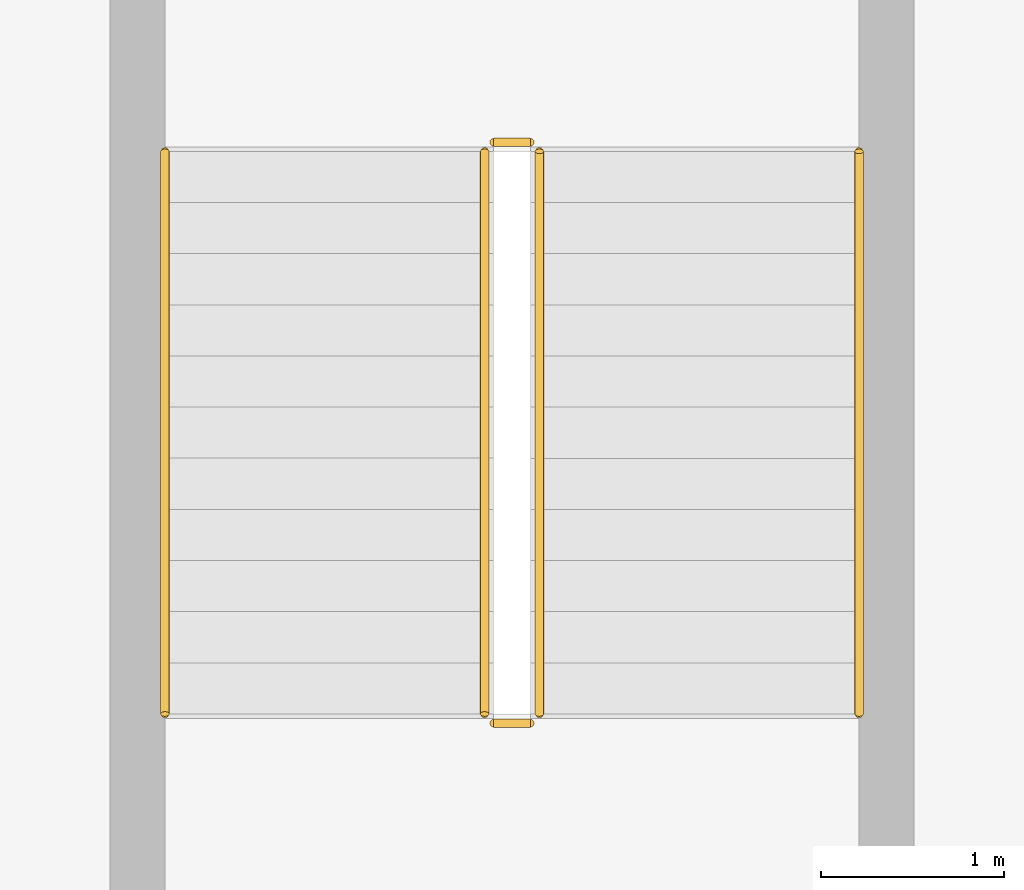
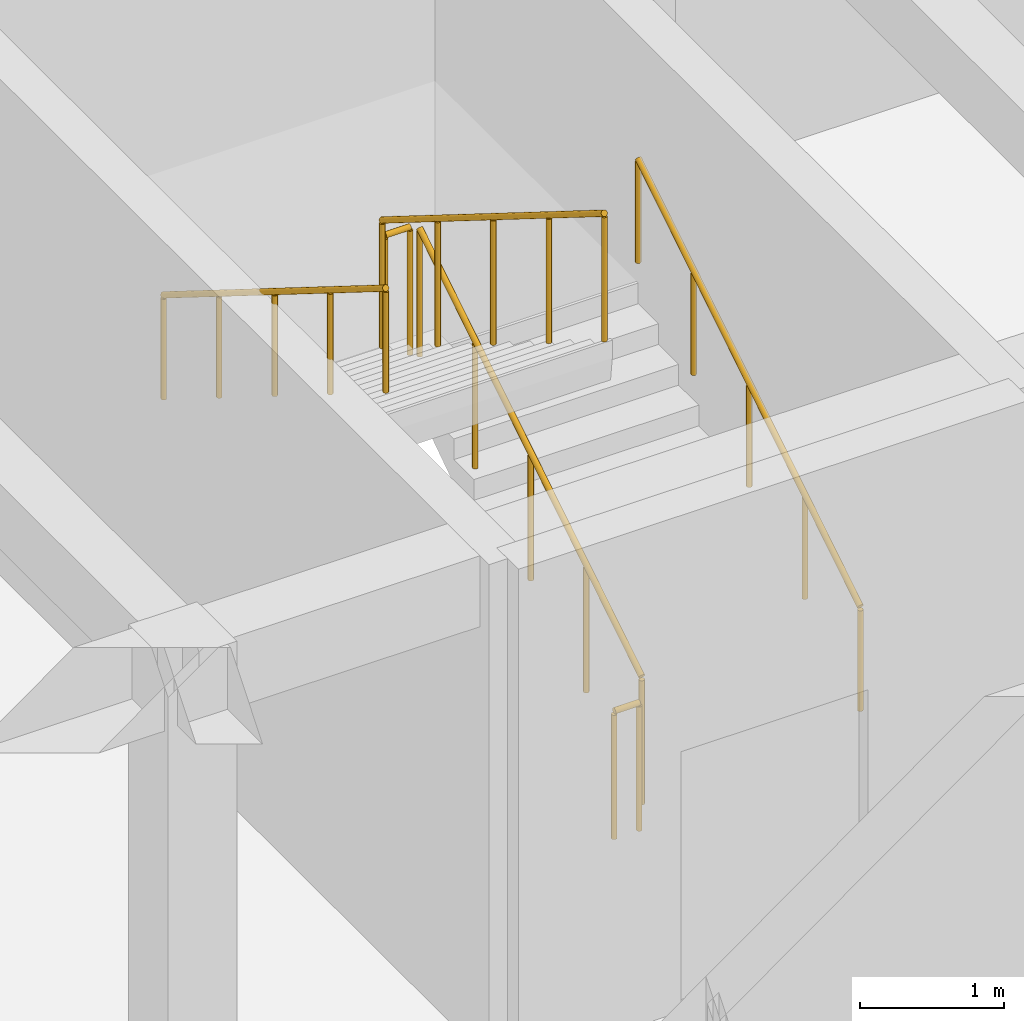
# One storey, part 24 of 28: 6 railings.
"""IFC4 building model written with IfcOpenShell, lengths in metres."""

from ifc_helpers import new_model, si_unit, direction, frame, origin, origin_2d, place, context, subcontext, project, spatial, circle, extrude, material, type_object, element, save


model = new_model("IFC4")

# Units and contexts
model_context = context("Model", 3, precision=1e-05, world=origin(), true_north=direction((0.0, 1.0)))
body_context = subcontext(model_context, "Body", "Model", "MODEL_VIEW")
ifc_project = project(units=[si_unit("LENGTHUNIT", "METRE"), si_unit("AREAUNIT", "SQUARE_METRE"), si_unit("VOLUMEUNIT", "CUBIC_METRE"), si_unit("PLANEANGLEUNIT", "RADIAN"), si_unit("MASSUNIT", "GRAM", prefix="KILO")], contexts=[model_context])

# Site, building, storey
site_placement = place(None, origin())
site = spatial("IfcSite", under=ifc_project, at=site_placement, CompositionType="ELEMENT")
building_placement = place(site_placement, origin())
building = spatial("IfcBuilding", under=site, at=building_placement, Name="Varncliffe General Hospital", CompositionType="ELEMENT")
storey_placement = place(building_placement, frame((0.0, 0.0, 24.60009765625)))
storey = spatial("IfcBuildingStorey", under=building, at=storey_placement, Name="L05", CompositionType="ELEMENT", Elevation=24.60009765625)

# Railings
ifc_material = material(Name="Powder-coated hospital steel guardrail and handrail", Category="steel")
railing_type_1 = type_object("IfcRailingType", Name="Stair and Ramp Handrail HR46", PredefinedType="HANDRAIL", material=ifc_material)
railing_1_placement = place(storey_placement, frame((56.75, 118.0, 0.35400390625)))
element("IfcRailing", 1, at=railing_1_placement, inside=storey, type_object=railing_type_1, Name="L05 ST02 stair handrail 1", PredefinedType="HANDRAIL", context=body_context, shape_type="SweptSolid", body=[
    extrude(circle(Radius=0.02392578125, at=origin_2d()), frame((0.0, 0.0, 0.8759765625), z_axis=(0.0, 0.848028513186, 0.529950602248), x_axis=(-1.0, 0.0, 0.0)), (0.0, 0.0, 1.0), 3.632080078125),
    extrude(circle(Radius=0.02099609375, at=origin_2d()), origin(), (0.0, 0.0, 1.0), 0.851806640625),
    extrude(circle(Radius=0.02099609375, at=origin_2d()), frame((0.0, 0.77001953125, 0.481201171875)), (0.0, 0.0, 1.0), 0.851806640625),
    extrude(circle(Radius=0.02099609375, at=origin_2d()), frame((0.0, 1.5400390625, 0.96240234375)), (0.0, 0.0, 1.0), 0.851806640625),
    extrude(circle(Radius=0.02099609375, at=origin_2d()), frame((0.0, 2.31005859375, 1.443603515625)), (0.0, 0.0, 1.0), 0.851806640625),
    extrude(circle(Radius=0.02099609375, at=origin_2d()), frame((0.0, 3.080078125, 1.9248046875)), (0.0, 0.0, 1.0), 0.851806640625),
])
railing_2_placement = place(storey_placement, frame((52.949951171875, 121.080078125, 2.453857421875)))
element("IfcRailing", 2, at=railing_2_placement, inside=storey, type_object=railing_type_1, Name="L05 ST02 stair handrail 2", PredefinedType="HANDRAIL", context=body_context, shape_type="SweptSolid", body=[
    extrude(circle(Radius=0.02392578125, at=origin_2d()), frame((0.0, 0.0, 0.8759765625), z_axis=(0.0, -0.847998304005, 0.529998940003), x_axis=(1.0, 0.0, 0.0)), (0.0, 0.0, 1.0), 3.632080078125),
    extrude(circle(Radius=0.02099609375, at=origin_2d()), origin(), (0.0, 0.0, 1.0), 0.851806640625),
    extrude(circle(Radius=0.02099609375, at=origin_2d()), frame((0.0, -0.77001953125, 0.481201171875)), (0.0, 0.0, 1.0), 0.851806640625),
    extrude(circle(Radius=0.02099609375, at=origin_2d()), frame((0.0, -1.5400390625, 0.96240234375)), (0.0, 0.0, 1.0), 0.851806640625),
    extrude(circle(Radius=0.02099609375, at=origin_2d()), frame((0.0, -2.31005859375, 1.44384765625)), (0.0, 0.0, 1.0), 0.851806640625),
    extrude(circle(Radius=0.02099609375, at=origin_2d()), frame((0.0, -3.080078125, 1.925048828125)), (0.0, 0.0, 1.0), 0.851806640625),
])
railing_type_2 = type_object("IfcRailingType", Name="Stairwell Guardrail SG49", PredefinedType="GUARDRAIL", material=ifc_material)
railing_3_placement = place(storey_placement, frame((55.0, 118.0, 0.1748046875)))
element("IfcRailing", 3, at=railing_3_placement, inside=storey, type_object=railing_type_2, Name="L05 ST02 stair guard 1", PredefinedType="GUARDRAIL", context=body_context, shape_type="SweptSolid", body=[
    extrude(circle(Radius=0.02392578125, at=origin_2d()), frame((0.0, 0.0, 1.076171875), z_axis=(0.0, 0.847998304005, 0.529998940003), x_axis=(-1.0, 0.0, 0.0)), (0.0, 0.0, 1.0), 3.632080078125),
    extrude(circle(Radius=0.02099609375, at=origin_2d()), origin(), (0.0, 0.0, 1.0), 1.052001953125),
    extrude(circle(Radius=0.02099609375, at=origin_2d()), frame((0.0, 0.77001953125, 0.481201171875)), (0.0, 0.0, 1.0), 1.052001953125),
    extrude(circle(Radius=0.02099609375, at=origin_2d()), frame((0.0, 1.5400390625, 0.96240234375)), (0.0, 0.0, 1.0), 1.052001953125),
    extrude(circle(Radius=0.02099609375, at=origin_2d()), frame((0.0, 2.31005859375, 1.44384765625)), (0.0, 0.0, 1.0), 1.052001953125),
    extrude(circle(Radius=0.02099609375, at=origin_2d()), frame((0.0, 3.080078125, 1.925048828125)), (0.0, 0.0, 1.0), 1.052001953125),
])
railing_4_placement = place(storey_placement, frame((54.949951171875, 121.1298828125, 2.099853515625)))
element("IfcRailing", 4, at=railing_4_placement, inside=storey, type_object=railing_type_2, Name="L05 ST02 stair guard 2", PredefinedType="GUARDRAIL", context=body_context, shape_type="SweptSolid", body=[
    extrude(circle(Radius=0.02392578125, at=origin_2d()), frame((0.0, 0.0, 1.076171875), z_axis=(-1.0, 0.0, 0.0), x_axis=(0.0, -1.0, 0.0)), (0.0, 0.0, 1.0), 0.199951171875),
    extrude(circle(Radius=0.02099609375, at=origin_2d()), origin(), (0.0, 0.0, 1.0), 1.052001953125),
    extrude(circle(Radius=0.02099609375, at=origin_2d()), frame((-0.199951171875, 0.0, 0.0)), (0.0, 0.0, 1.0), 1.052001953125),
])
railing_5_placement = place(storey_placement, frame((54.699951171875, 121.080078125, 2.27490234375)))
element("IfcRailing", 5, at=railing_5_placement, inside=storey, type_object=railing_type_2, Name="L05 ST02 stair guard 3", PredefinedType="GUARDRAIL", context=body_context, shape_type="SweptSolid", body=[
    extrude(circle(Radius=0.02392578125, at=origin_2d()), frame((0.0, 0.0, 1.076171875), z_axis=(0.0, -0.847998304005, 0.529998940003), x_axis=(1.0, 0.0, 0.0)), (0.0, 0.0, 1.0), 3.632080078125),
    extrude(circle(Radius=0.02099609375, at=origin_2d()), origin(), (0.0, 0.0, 1.0), 1.052001953125),
    extrude(circle(Radius=0.02099609375, at=origin_2d()), frame((0.0, -0.77001953125, 0.481201171875)), (0.0, 0.0, 1.0), 1.052001953125),
    extrude(circle(Radius=0.02099609375, at=origin_2d()), frame((0.0, -1.5400390625, 0.96240234375)), (0.0, 0.0, 1.0), 1.052001953125),
    extrude(circle(Radius=0.02099609375, at=origin_2d()), frame((0.0, -2.31005859375, 1.44384765625)), (0.0, 0.0, 1.0), 1.052001953125),
    extrude(circle(Radius=0.02099609375, at=origin_2d()), frame((0.0, -3.080078125, 1.925048828125)), (0.0, 0.0, 1.0), 1.052001953125),
])
railing_6_placement = place(storey_placement, frame((54.949951171875, 117.949951171875, 0.0)))
element("IfcRailing", 6, at=railing_6_placement, inside=storey, type_object=railing_type_2, Name="L05 ST02 stair guard 4", PredefinedType="GUARDRAIL", context=body_context, shape_type="SweptSolid", body=[
    extrude(circle(Radius=0.02392578125, at=origin_2d()), frame((0.0, 0.0, 1.076171875), z_axis=(-1.0, 0.0, 0.0), x_axis=(0.0, -1.0, 0.0)), (0.0, 0.0, 1.0), 0.199951171875),
    extrude(circle(Radius=0.02099609375, at=origin_2d()), origin(), (0.0, 0.0, 1.0), 1.052001953125),
    extrude(circle(Radius=0.02099609375, at=origin_2d()), frame((-0.199951171875, 0.0, 0.0)), (0.0, 0.0, 1.0), 1.052001953125),
])

save(model, "model.ifc")
